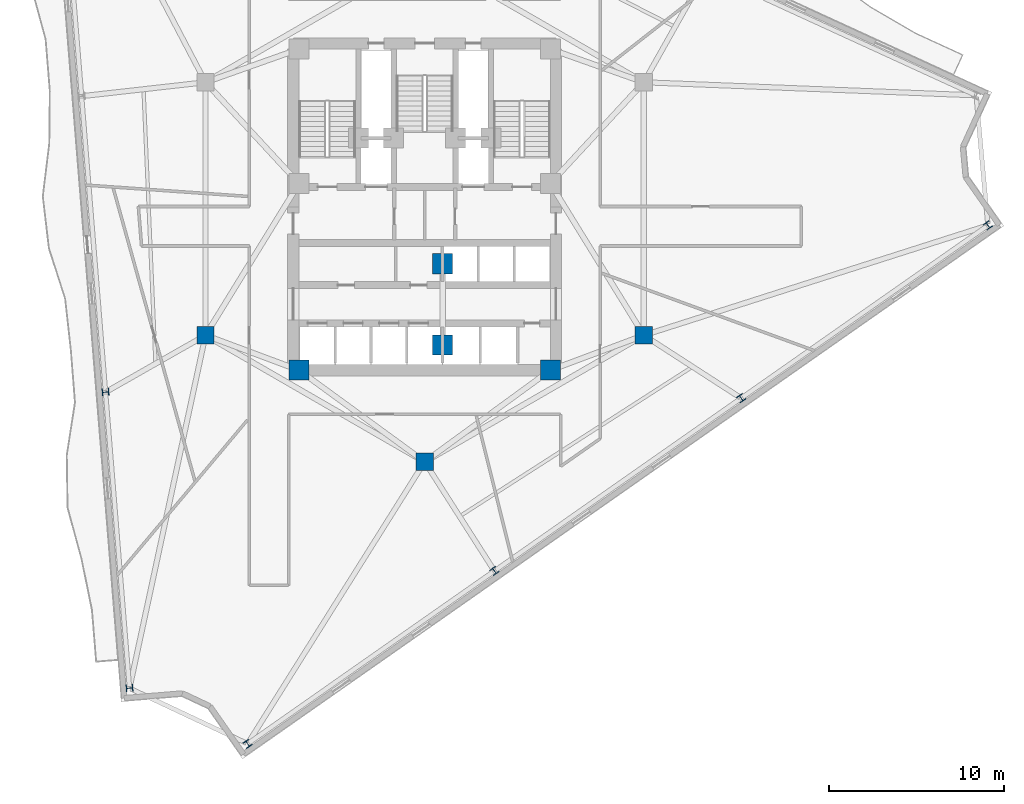
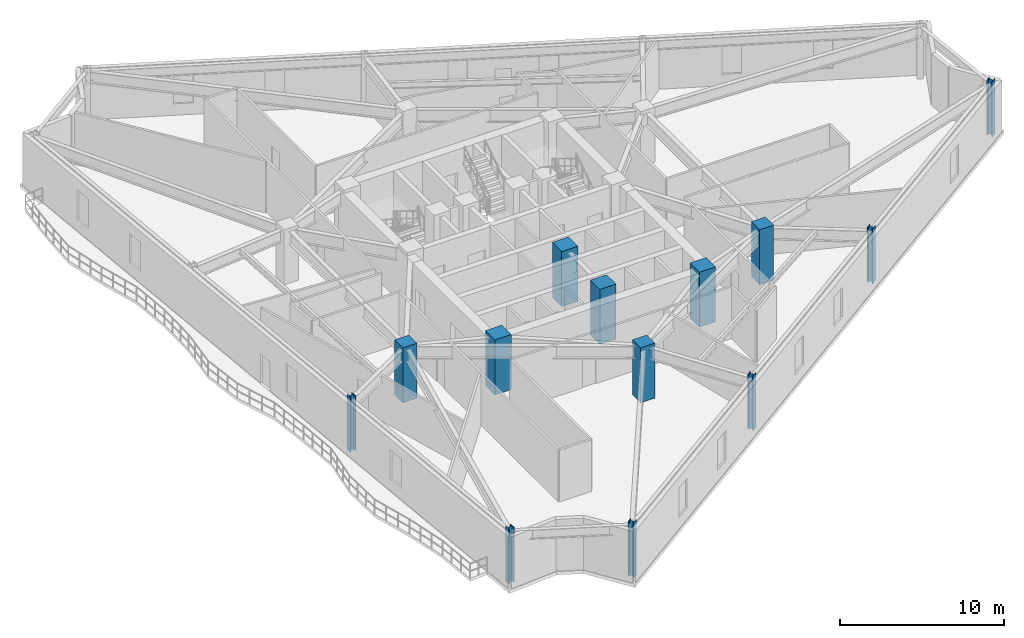
# One storey, part 1 of 10: 13 columns.
"""IFC4 building model written with IfcOpenShell, lengths in metres."""

from ifc_helpers import new_model, si_unit, direction, frame, origin, origin_2d, place, context, subcontext, project, spatial, rectangle, i_section, extrude, material, material_profile, profile_set, type_object, element, save


model = new_model("IFC4")

# Units and contexts
model_context = context("Model", 3, precision=1e-05, world=origin(), true_north=direction((0.0, 1.0)))
body_context = subcontext(model_context, "Body", "Model", "MODEL_VIEW")
ifc_project = project(units=[si_unit("LENGTHUNIT", "METRE"), si_unit("AREAUNIT", "SQUARE_METRE"), si_unit("VOLUMEUNIT", "CUBIC_METRE"), si_unit("PLANEANGLEUNIT", "RADIAN"), si_unit("MASSUNIT", "GRAM", prefix="KILO")], contexts=[model_context])

# Site, building, storey
site_placement = place(None, origin())
site = spatial("IfcSite", under=ifc_project, at=site_placement, CompositionType="ELEMENT")
building_placement = place(site_placement, origin())
building = spatial("IfcBuilding", under=site, at=building_placement, Name="Apsidion Concourse Tower", CompositionType="ELEMENT")
storey_placement = place(building_placement, frame((0.0, 0.0, 202.39990234375)))
storey = spatial("IfcBuildingStorey", under=building, at=storey_placement, Name="L47", CompositionType="ELEMENT", Elevation=202.39990234375)

# Columns
ifc_material_1 = material(Name="Concrete C50/60", Category="concrete")
ifc_material_profile_1 = material_profile(ifc_material_1, rectangle(XDim=1.0, YDim=1.0, at=origin_2d()), Name="RC 1000x1000")
ifc_profile_set_1 = profile_set([ifc_material_profile_1], Name="Concrete C50/60")
column_type_1 = type_object("IfcColumnType", Name="COL-RC-1000", PredefinedType="COLUMN", material=ifc_profile_set_1)
for number, where, z_axis, x_axis, name in (
    (1, (-12.56005859375, -7.25, 0.0), (0.0, 0.0, 1.0), (1.0, 0.0, 0.0), "L47 Interior Spine Column IC1"),
    (2, (12.56005859375, -7.25, 0.0), (0.0, 0.0, 1.0), (1.0, 0.0, 0.0), "L47 Interior Spine Column IC2"),
    (3, (0.0, -14.5, 0.0), (0.0, 0.0, 1.0), (1.0, 0.0, 0.0), "L47 Interior Spine Column IC6"),
):
    element("IfcColumn", number, at=place(storey_placement, frame(where, z_axis=z_axis, x_axis=x_axis)), inside=storey, type_object=column_type_1, Name=name, PredefinedType="COLUMN", context=body_context, shape_type="SweptSolid", body=[
        extrude(rectangle(XDim=1.0, YDim=1.0, at=origin_2d()), origin(), (0.0, 0.0, 1.0), 4.10009765625),
    ])
ifc_material_profile_2 = material_profile(ifc_material_1, rectangle(XDim=1.14990234375, YDim=1.14990234375, at=origin_2d()), Name="RC 1150x1150")
ifc_profile_set_2 = profile_set([ifc_material_profile_2], Name="Concrete C50/60")
column_type_2 = type_object("IfcColumnType", Name="COL-RC-1150", PredefinedType="COLUMN", material=ifc_profile_set_2)
for number, where, z_axis, x_axis, name in (
    (4, (-7.199951171875, -9.25, 0.0), (0.0, 0.0, 1.0), (1.0, 0.0, 0.0), "L47 Core Super-Column SC1"),
    (5, (7.199951171875, -9.25, 0.0), (0.0, 0.0, 1.0), (1.0, 0.0, 0.0), "L47 Core Super-Column SC2"),
    (6, (1.02490234375, -3.14990234375, 0.0), (0.0, 0.0, 1.0), (1.0, 0.0, 0.0), "L47 Core Super-Column CC5"),
    (7, (1.02490234375, -7.800048828125, 0.0), (0.0, 0.0, 1.0), (1.0, 0.0, 0.0), "L47 Core Super-Column CC6"),
):
    element("IfcColumn", number, at=place(storey_placement, frame(where, z_axis=z_axis, x_axis=x_axis)), inside=storey, type_object=column_type_2, Name=name, PredefinedType="COLUMN", context=body_context, shape_type="SweptSolid", body=[
        extrude(rectangle(XDim=1.14990234375, YDim=1.14990234375, at=origin_2d()), origin(), (0.0, 0.0, 1.0), 4.10009765625),
    ])
ifc_material_2 = material(Name="Structural steel ASTM A992 Grade 50", Category="steel")
ifc_material_profile_3 = material_profile(ifc_material_2, i_section(OverallWidth=0.39892578125, OverallDepth=0.385986328125, WebThickness=0.02099609375, FlangeThickness=0.033203125, at=origin_2d()), Name="W14X176")
ifc_profile_set_3 = profile_set([ifc_material_profile_3], Name="Structural steel ASTM A992 Grade 50")
column_type_3 = type_object("IfcColumnType", Name="COL-W14-176", PredefinedType="COLUMN", material=ifc_profile_set_3)
for number, where, z_axis, x_axis, name in (
    (8, (-18.28955078125, -10.510498046875, 0.0), (0.0, 0.0, 1.0), (-0.080720825512, 0.996736749763, 0.0), "L47 Rotated Perimeter Column PC03"),
    (9, (-16.915283203125, -27.47216796875, 0.0), (0.0, 0.0, 1.0), (-0.080720825512, 0.996736749763, 0.0), "L47 Rotated Perimeter Column PC04"),
    (10, (-10.14404296875, -30.65625, 0.0), (0.0, 0.0, 1.0), (0.819152044289, 0.573576436351, 0.0), "L47 Rotated Perimeter Column PC05"),
    (11, (3.996337890625, -20.755126953125, 0.0), (0.0, 0.0, 1.0), (0.819152044289, 0.573576436351, 0.0), "L47 Rotated Perimeter Column PC06"),
    (12, (18.13671875, -10.85400390625, 0.0), (0.0, 0.0, 1.0), (0.819152044289, 0.573576436351, 0.0), "L47 Rotated Perimeter Column PC07"),
    (13, (32.27685546875, -0.952880859375, 0.0), (0.0, 0.0, 1.0), (0.819152044289, 0.573576436351, 0.0), "L47 Rotated Perimeter Column PC08"),
):
    element("IfcColumn", number, at=place(storey_placement, frame(where, z_axis=z_axis, x_axis=x_axis)), inside=storey, type_object=column_type_3, Name=name, PredefinedType="COLUMN", context=body_context, shape_type="SweptSolid", body=[
        extrude(i_section(OverallWidth=0.39892578125, OverallDepth=0.385986328125, WebThickness=0.02099609375, FlangeThickness=0.033203125, at=origin_2d()), origin(), (0.0, 0.0, 1.0), 4.10009765625),
    ])

save(model, "model.ifc")
